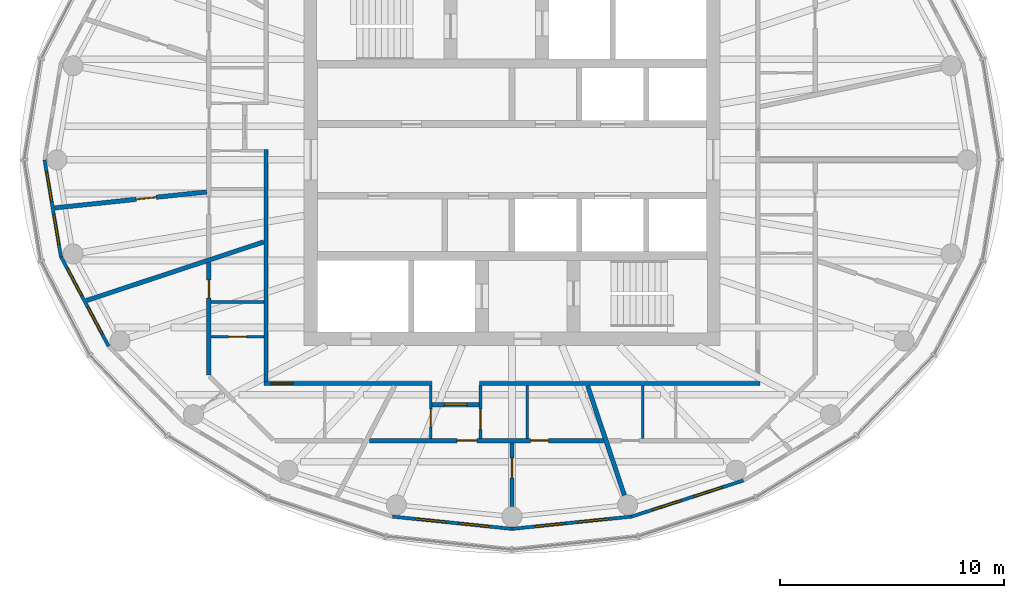
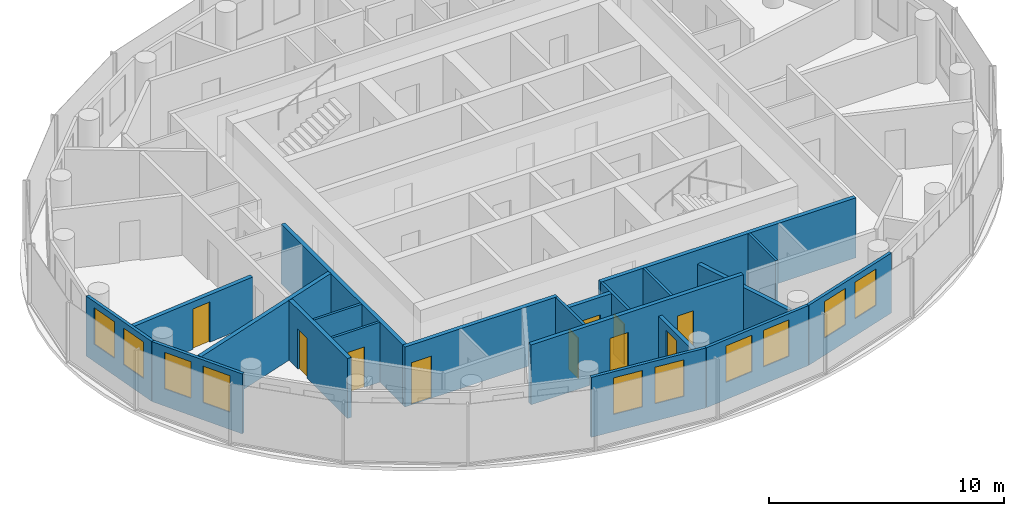
# One storey, part 5 of 11: 21 walls, 10 doors, 10 windows, 20 openings.
"""IFC4 building model written with IfcOpenShell, lengths in metres."""

import ifcopenshell
import ifcopenshell.guid

model = None  # the IFC model being written
_history = None  # IfcOwnerHistory: only IFC2X3 demands one
_inside = {}  # id of a spatial element -> (the spatial element, [elements in it])
_under = {}  # id of a project, library or spatial element -> (it, [spatial elements below it])
_declared = {}  # id of a project -> (the project, [libraries it declares])
_typed = {}  # id of a type object -> (the type object, [elements of that type])
_made_of = {}  # id of a material, layer set ... -> (it, [elements and type objects made of it])


def new_model(schema):
    """Start an empty IFC model of exactly this schema.

    Asked for "IFC4X3", IfcOpenShell would pick the latest addendum, in which some entities
    have other attributes; the version numbers below select the first issue.
    IFC2X3 requires an IfcOwnerHistory on every rooted entity: one is made here for all.
    """
    global model, _history
    if schema == "IFC4X3":
        model = ifcopenshell.file(schema_version=(4, 3, 0, 0))
    else:
        model = ifcopenshell.file(schema=schema)
    _inside.clear()
    _under.clear()
    _declared.clear()
    _typed.clear()
    _made_of.clear()
    _history = None
    if model.schema == "IFC2X3":
        org = make("IfcOrganization", Name="unknown")
        user = make(
            "IfcPersonAndOrganization",
            ThePerson=make("IfcPerson", FamilyName="unknown"),
            TheOrganization=org,
        )
        app = make(
            "IfcApplication",
            ApplicationDeveloper=org,
            Version="unknown",
            ApplicationFullName="unknown",
            ApplicationIdentifier="unknown",
        )
        _history = make(
            "IfcOwnerHistory",
            OwningUser=user,
            OwningApplication=app,
            ChangeAction="ADDED",
            CreationDate=0,
        )
    return model


def make(cls, **values):
    """One entity of the class cls with the attributes given. An attribute that is None is left unset."""
    return model.create_entity(
        cls, **{name: value for name, value in values.items() if value is not None}
    )


def rooted(cls, **values):
    """An entity with a GlobalId (a new one), such as an element, a storey or a relation."""
    return make(cls, GlobalId=ifcopenshell.guid.new(), OwnerHistory=_history, **values)


def si_unit(unit_type, name, prefix=None):
    """IfcSIUnit, for example si_unit("LENGTHUNIT", "METRE", prefix="MILLI")."""
    return make("IfcSIUnit", UnitType=unit_type, Prefix=prefix, Name=name)


def assignment(units):
    """IfcUnitAssignment: the units of a project."""
    return None if units is None else make("IfcUnitAssignment", Units=units)


def point(xyz):
    """IfcCartesianPoint."""
    return None if xyz is None else make("IfcCartesianPoint", Coordinates=xyz)


def direction(xyz):
    """IfcDirection."""
    return None if xyz is None else make("IfcDirection", DirectionRatios=xyz)


def frame(location, z_axis=None, x_axis=None):
    """IfcAxis2Placement3D, a coordinate frame: its origin and axes. An axis left out is left unset."""
    return make(
        "IfcAxis2Placement3D",
        Location=point(location),
        Axis=direction(z_axis),
        RefDirection=direction(x_axis),
    )


def frame_2d(location, x_axis=None):
    """IfcAxis2Placement2D, a coordinate frame in the plane: its origin and x axis."""
    return make(
        "IfcAxis2Placement2D", Location=point(location), RefDirection=direction(x_axis)
    )


def origin():
    """The frame at (0, 0, 0) with its axes left unset."""
    return frame((0.0, 0.0, 0.0))


def place(relative_to, where):
    """IfcLocalPlacement: puts the frame where relative to a parent placement (None: the world)."""
    return make(
        "IfcLocalPlacement", PlacementRelTo=relative_to, RelativePlacement=where
    )


def context(
    kind, dimensions, precision=None, world=None, true_north=None, identifier=None
):
    """IfcGeometricRepresentationContext, for example the 3D "Model" context."""
    return make(
        "IfcGeometricRepresentationContext",
        ContextIdentifier=identifier,
        ContextType=kind,
        CoordinateSpaceDimension=dimensions,
        Precision=precision,
        WorldCoordinateSystem=world,
        TrueNorth=true_north,
    )


def subcontext(parent, identifier, kind, view, scale=None):
    """IfcGeometricRepresentationSubContext, for example "Body" below "Model"."""
    return make(
        "IfcGeometricRepresentationSubContext",
        ContextIdentifier=identifier,
        ContextType=kind,
        ParentContext=parent,
        TargetScale=scale,
        TargetView=view,
    )


def project(units=None, contexts=None):
    """IfcProject with its units and contexts."""
    return rooted(
        "IfcProject",
        Name="project",
        RepresentationContexts=contexts,
        UnitsInContext=assignment(units),
    )


def spatial(cls, under=None, at=None, **own):
    """A site, building, storey or space (cls), placed at a placement, below another one or the project."""
    s = rooted(cls, ObjectPlacement=at, **own)
    if under is not None:
        _under.setdefault(under.id(), (under, []))[1].append(s)
    return s


def profile(cls, at=None, kind="AREA", **sizes):
    """A parametric profile (cls). Its sizes go by their IFC names, for example OverallWidth=200.0."""
    return make(cls, ProfileType=kind, Position=at, **sizes)


def rectangle(**sizes):
    """IfcRectangleProfileDef."""
    return profile("IfcRectangleProfileDef", **sizes)


def extrude(swept, where, along, depth):
    """IfcExtrudedAreaSolid: the profile swept, set in the frame where, extruded along a direction by depth."""
    return make(
        "IfcExtrudedAreaSolid",
        SweptArea=swept,
        Position=where,
        ExtrudedDirection=direction(along),
        Depth=depth,
    )


def shape(context_of_items, identifier, shape_type, items):
    """IfcShapeRepresentation: the items that make up one representation, for example the "Body"."""
    return make(
        "IfcShapeRepresentation",
        ContextOfItems=context_of_items,
        RepresentationIdentifier=identifier,
        RepresentationType=shape_type,
        Items=items,
    )


def material(Name=None, Category=None):
    """IfcMaterial."""
    return make("IfcMaterial", Name=Name, Category=Category)


def layer(
    of_material, thickness, ventilated=None, Name=None, Category=None, Priority=None
):
    """IfcMaterialLayer: one layer of a wall or slab, of a material (None: an air gap)."""
    return make(
        "IfcMaterialLayer",
        Material=of_material,
        LayerThickness=thickness,
        IsVentilated=ventilated,
        Name=Name,
        Category=Category,
        Priority=Priority,
    )


def layer_set(layers, Name=None):
    """IfcMaterialLayerSet."""
    return make("IfcMaterialLayerSet", MaterialLayers=layers, LayerSetName=Name)


def made_of(thing, what):
    """Note that an element or type object is made of a material, layer set ...; save() writes the relation."""
    if what is not None:
        _made_of.setdefault(what.id(), (what, []))[1].append(thing)
    return thing


def type_object(cls, material=None, **own):
    """A type object (cls), such as IfcWallType, which elements share."""
    return made_of(rooted(cls, **own), material)


def element(
    cls,
    number,
    at=None,
    inside=None,
    cuts=None,
    type_object=None,
    material=None,
    context=None,
    identifier="Body",
    shape_type=None,
    held_by="IfcProductDefinitionShape",
    body=None,
    shapes=None,
    **own,
):
    """One element of the class cls, such as IfcWall. Its Tag is "e" and its number.

    at: its placement. inside: the storey or other place that contains it. cuts: it is an
    opening in that element (IfcRelVoidsElement). A single representation is given by context,
    identifier, shape_type and body (its items); several are given by shapes. held_by: the class
    of the entity that holds the representations. save() writes the other relations.
    """
    e = rooted(cls, Tag="e%d" % number, ObjectPlacement=at, **own)
    if body is not None:
        shapes = [shape(context, identifier, shape_type, body)]
    if shapes is not None:
        e.Representation = make(held_by, Representations=shapes)
    if inside is not None:
        _inside.setdefault(inside.id(), (inside, []))[1].append(e)
    if cuts is not None:
        rooted(
            "IfcRelVoidsElement", RelatingBuildingElement=cuts, RelatedOpeningElement=e
        )
    if type_object is not None:
        _typed.setdefault(type_object.id(), (type_object, []))[1].append(e)
    return made_of(e, material)


def fill(opening, filler):
    """IfcRelFillsElement: the door or window that sits in an opening."""
    return rooted(
        "IfcRelFillsElement",
        RelatingOpeningElement=opening,
        RelatedBuildingElement=filler,
    )


def aggregate(whole, parts):
    """IfcRelAggregates: a whole, such as a stair, and the parts it consists of."""
    return rooted("IfcRelAggregates", RelatingObject=whole, RelatedObjects=parts)


def save(model, path):
    """Write the relations noted so far, then the file.

    IfcRelAggregates (storeys below a building ...), IfcRelContainedInSpatialStructure (elements
    in a storey), IfcRelDefinesByType, IfcRelAssociatesMaterial and IfcRelDeclares: one each for
    every whole, place, type object, material and project.
    """
    for whole, parts in _under.values():
        aggregate(whole, parts)
    for where, things in _inside.values():
        rooted(
            "IfcRelContainedInSpatialStructure",
            RelatedElements=things,
            RelatingStructure=where,
        )
    for kind, things in _typed.values():
        rooted("IfcRelDefinesByType", RelatedObjects=things, RelatingType=kind)
    for what, things in _made_of.values():
        rooted("IfcRelAssociatesMaterial", RelatedObjects=things, RelatingMaterial=what)
    for by, libraries in _declared.values():
        rooted("IfcRelDeclares", RelatingContext=by, RelatedDefinitions=libraries)
    model.write(path)


model = new_model("IFC4")

# Units and contexts
model_context = context("Model", 3, precision=1e-05, world=origin(), true_north=direction((0.0, 1.0)))
body_context = subcontext(model_context, "Body", "Model", "MODEL_VIEW")
ifc_project = project(units=[si_unit("LENGTHUNIT", "METRE"), si_unit("AREAUNIT", "SQUARE_METRE"), si_unit("VOLUMEUNIT", "CUBIC_METRE"), si_unit("PLANEANGLEUNIT", "RADIAN"), si_unit("MASSUNIT", "GRAM", prefix="KILO")], contexts=[model_context])

# Site, building, storey
site_placement = place(None, origin())
site = spatial("IfcSite", under=ifc_project, at=site_placement, CompositionType="ELEMENT")
building_placement = place(site_placement, origin())
building = spatial("IfcBuilding", under=site, at=building_placement, Name="Hankou Lantern Tower", CompositionType="ELEMENT")
storey_placement = place(building_placement, frame((0.0, 0.0, 196.199951171875)))
storey = spatial("IfcBuildingStorey", under=building, at=storey_placement, Name="L52", CompositionType="ELEMENT", Elevation=196.199951171875)

# Wall, openings, windows
ifc_material_1 = material(Name="Aluminium spandrel panel on steel studs", Category="steel")
ifc_layer_1 = layer(ifc_material_1, 0.14990234375)
ifc_layer_set_1 = layer_set([ifc_layer_1], Name="Aluminium spandrel panel on steel studs")
wall_type_1 = type_object("IfcWallType", Name="EW1 INNER SKIN WALL 150", PredefinedType="ELEMENTEDWALL", material=ifc_layer_set_1)
wall_1_placement = place(storey_placement, frame((-20.89990234375, 0.0, 0.0), z_axis=(0.0, 0.0, 1.0), x_axis=(0.166538513568, -0.986034950445, 0.0)))
wall_1 = element("IfcWall", 1, at=wall_1_placement, inside=storey, type_object=wall_type_1, Name="Inner skin R13-R14 L52", PredefinedType="ELEMENTEDWALL", context=body_context, shape_type="SweptSolid", body=[
    extrude(rectangle(XDim=4.384765625, YDim=0.14990234375, at=frame_2d((2.1923828125, 0.0))), origin(), (0.0, 0.0, 1.0), 3.1201171875),
])
opening_1_placement = place(wall_1_placement, frame((0.54248046875, 0.0, 0.89990234375)))
opening_1 = element("IfcOpeningElement", 2, at=opening_1_placement, cuts=wall_1, Name="Opening W4", PredefinedType="OPENING", context=body_context, shape_type="SweptSolid", body=[
    extrude(rectangle(XDim=1.35009765625, YDim=1.89990234375, at=frame_2d((0.675048828125, 0.949951171875))), frame((0.0, 0.0849609375, 0.0), z_axis=(0.0, -1.0, 0.0), x_axis=(1.0, 0.0, 0.0)), (0.0, 0.0, 1.0), 0.169921875),
])
opening_2_placement = place(wall_1_placement, frame((2.492431640625, 0.0, 0.89990234375)))
opening_2 = element("IfcOpeningElement", 3, at=opening_2_placement, cuts=wall_1, Name="Opening W4", PredefinedType="OPENING", context=body_context, shape_type="SweptSolid", body=[
    extrude(rectangle(XDim=1.35009765625, YDim=1.89990234375, at=frame_2d((0.675048828125, 0.949951171875))), frame((0.0, 0.0849609375, 0.0), z_axis=(0.0, -1.0, 0.0), x_axis=(1.0, 0.0, 0.0)), (0.0, 0.0, 1.0), 0.169921875),
])
ifc_material_2 = material(Name="Aluminium framed double glazed window", Category="aluminium")
window_type = type_object("IfcWindowType", Name="W4 SUITE WINDOW 1350X1900", PartitioningType="DOUBLE_PANEL_VERTICAL", PredefinedType="WINDOW", material=ifc_material_2)
window_1_placement = place(opening_1_placement, origin())
window_1 = element("IfcWindow", 4, at=window_1_placement, inside=storey, type_object=window_type, Name="Window R13.1 L52", OverallHeight=1.89990234375, OverallWidth=1.35009765625, PartitioningType="SINGLE_PANEL", PredefinedType="WINDOW", context=body_context, shape_type="SweptSolid", body=[
    extrude(rectangle(XDim=1.35009765625, YDim=1.89990234375, at=frame_2d((0.675048828125, 0.949951171875))), frame((0.0, 0.030029296875, 0.0), z_axis=(0.0, -1.0, 0.0), x_axis=(1.0, 0.0, 0.0)), (0.0, 0.0, 1.0), 0.06005859375),
])
fill(opening_1, window_1)
window_2_placement = place(opening_2_placement, origin())
window_2 = element("IfcWindow", 5, at=window_2_placement, inside=storey, type_object=window_type, Name="Window R13.2 L52", OverallHeight=1.89990234375, OverallWidth=1.35009765625, PartitioningType="SINGLE_PANEL", PredefinedType="WINDOW", context=body_context, shape_type="SweptSolid", body=[
    extrude(rectangle(XDim=1.35009765625, YDim=1.89990234375, at=frame_2d((0.675048828125, 0.949951171875))), frame((0.0, 0.030029296875, 0.0), z_axis=(0.0, -1.0, 0.0), x_axis=(1.0, 0.0, 0.0)), (0.0, 0.0, 1.0), 0.06005859375),
])
fill(opening_2, window_2)

wall_2_placement = place(storey_placement, frame((-20.169677734375, -4.323486328125, 0.0), z_axis=(0.0, 0.0, 1.0), x_axis=(0.469256152955, -0.883062094597, 0.0)))
wall_2 = element("IfcWall", 6, at=wall_2_placement, inside=storey, type_object=wall_type_1, Name="Inner skin R14-R15 L52", PredefinedType="ELEMENTEDWALL", context=body_context, shape_type="SweptSolid", body=[
    extrude(rectangle(XDim=4.539306640625, YDim=0.14990234375, at=frame_2d((2.26953125, 0.0))), origin(), (0.0, 0.0, 1.0), 3.1201171875),
])
opening_3_placement = place(wall_2_placement, frame((0.61962890625, 0.0, 0.89990234375)))
opening_3 = element("IfcOpeningElement", 7, at=opening_3_placement, cuts=wall_2, Name="Opening W4", PredefinedType="OPENING", context=body_context, shape_type="SweptSolid", body=[
    extrude(rectangle(XDim=1.35009765625, YDim=1.89990234375, at=frame_2d((0.675048828125, 0.949951171875))), frame((0.0, 0.0849609375, 0.0), z_axis=(0.0, -1.0, 0.0), x_axis=(1.0, 0.0, 0.0)), (0.0, 0.0, 1.0), 0.169921875),
])
opening_4_placement = place(wall_2_placement, frame((2.569580078125, 0.0, 0.89990234375)))
opening_4 = element("IfcOpeningElement", 8, at=opening_4_placement, cuts=wall_2, Name="Opening W4", PredefinedType="OPENING", context=body_context, shape_type="SweptSolid", body=[
    extrude(rectangle(XDim=1.35009765625, YDim=1.89990234375, at=frame_2d((0.675048828125, 0.949951171875))), frame((0.0, 0.0849609375, 0.0), z_axis=(0.0, -1.0, 0.0), x_axis=(1.0, 0.0, 0.0)), (0.0, 0.0, 1.0), 0.169921875),
])
window_3_placement = place(opening_3_placement, origin())
window_3 = element("IfcWindow", 9, at=window_3_placement, inside=storey, type_object=window_type, Name="Window R14.1 L52", OverallHeight=1.89990234375, OverallWidth=1.35009765625, PartitioningType="SINGLE_PANEL", PredefinedType="WINDOW", context=body_context, shape_type="SweptSolid", body=[
    extrude(rectangle(XDim=1.35009765625, YDim=1.89990234375, at=frame_2d((0.675048828125, 0.949951171875))), frame((0.0, 0.030029296875, 0.0), z_axis=(0.0, -1.0, 0.0), x_axis=(1.0, 0.0, 0.0)), (0.0, 0.0, 1.0), 0.06005859375),
])
fill(opening_3, window_3)
window_4_placement = place(opening_4_placement, origin())
window_4 = element("IfcWindow", 10, at=window_4_placement, inside=storey, type_object=window_type, Name="Window R14.2 L52", OverallHeight=1.89990234375, OverallWidth=1.35009765625, PartitioningType="SINGLE_PANEL", PredefinedType="WINDOW", context=body_context, shape_type="SweptSolid", body=[
    extrude(rectangle(XDim=1.35009765625, YDim=1.89990234375, at=frame_2d((0.675048828125, 0.949951171875))), frame((0.0, 0.030029296875, 0.0), z_axis=(0.0, -1.0, 0.0), x_axis=(1.0, 0.0, 0.0)), (0.0, 0.0, 1.0), 0.06005859375),
])
fill(opening_4, window_4)

wall_3_placement = place(storey_placement, frame((-5.3427734375, -15.95166015625, 0.0), z_axis=(0.0, 0.0, 1.0), x_axis=(0.994774574972, -0.102095763818, 0.0)))
wall_3 = element("IfcWall", 11, at=wall_3_placement, inside=storey, type_object=wall_type_1, Name="Inner skin R18-R19 L52", PredefinedType="ELEMENTEDWALL", context=body_context, shape_type="SweptSolid", body=[
    extrude(rectangle(XDim=5.370849609375, YDim=0.14990234375, at=frame_2d((2.685546875, 0.0))), origin(), (0.0, 0.0, 1.0), 3.1201171875),
])
opening_5_placement = place(wall_3_placement, frame((1.035400390625, 0.0, 0.89990234375)))
opening_5 = element("IfcOpeningElement", 12, at=opening_5_placement, cuts=wall_3, Name="Opening W4", PredefinedType="OPENING", context=body_context, shape_type="SweptSolid", body=[
    extrude(rectangle(XDim=1.35009765625, YDim=1.89990234375, at=frame_2d((0.675048828125, 0.949951171875))), frame((0.0, 0.0849609375, 0.0), z_axis=(0.0, -1.0, 0.0), x_axis=(1.0, 0.0, 0.0)), (0.0, 0.0, 1.0), 0.169921875),
])
opening_6_placement = place(wall_3_placement, frame((2.9853515625, 0.0, 0.89990234375)))
opening_6 = element("IfcOpeningElement", 13, at=opening_6_placement, cuts=wall_3, Name="Opening W4", PredefinedType="OPENING", context=body_context, shape_type="SweptSolid", body=[
    extrude(rectangle(XDim=1.35009765625, YDim=1.89990234375, at=frame_2d((0.675048828125, 0.949951171875))), frame((0.0, 0.0849609375, 0.0), z_axis=(0.0, -1.0, 0.0), x_axis=(1.0, 0.0, 0.0)), (0.0, 0.0, 1.0), 0.169921875),
])
window_5_placement = place(opening_5_placement, origin())
window_5 = element("IfcWindow", 14, at=window_5_placement, inside=storey, type_object=window_type, Name="Window R18.1 L52", OverallHeight=1.89990234375, OverallWidth=1.35009765625, PartitioningType="SINGLE_PANEL", PredefinedType="WINDOW", context=body_context, shape_type="SweptSolid", body=[
    extrude(rectangle(XDim=1.35009765625, YDim=1.89990234375, at=frame_2d((0.675048828125, 0.949951171875))), frame((0.0, 0.030029296875, 0.0), z_axis=(0.0, -1.0, 0.0), x_axis=(1.0, 0.0, 0.0)), (0.0, 0.0, 1.0), 0.06005859375),
])
fill(opening_5, window_5)
window_6_placement = place(opening_6_placement, origin())
window_6 = element("IfcWindow", 15, at=window_6_placement, inside=storey, type_object=window_type, Name="Window R18.2 L52", OverallHeight=1.89990234375, OverallWidth=1.35009765625, PartitioningType="SINGLE_PANEL", PredefinedType="WINDOW", context=body_context, shape_type="SweptSolid", body=[
    extrude(rectangle(XDim=1.35009765625, YDim=1.89990234375, at=frame_2d((0.675048828125, 0.949951171875))), frame((0.0, 0.030029296875, 0.0), z_axis=(0.0, -1.0, 0.0), x_axis=(1.0, 0.0, 0.0)), (0.0, 0.0, 1.0), 0.06005859375),
])
fill(opening_6, window_6)

wall_4_placement = place(storey_placement, frame((0.0, -16.5, 0.0), z_axis=(0.0, 0.0, 1.0), x_axis=(0.994774574972, 0.102095763818, 0.0)))
wall_4 = element("IfcWall", 16, at=wall_4_placement, inside=storey, type_object=wall_type_1, Name="Inner skin R19-R20 L52", PredefinedType="ELEMENTEDWALL", context=body_context, shape_type="SweptSolid", body=[
    extrude(rectangle(XDim=5.370849609375, YDim=0.14990234375, at=frame_2d((2.685546875, 0.0))), origin(), (0.0, 0.0, 1.0), 3.1201171875),
])
opening_7_placement = place(wall_4_placement, frame((1.035400390625, 0.0, 0.89990234375)))
opening_7 = element("IfcOpeningElement", 17, at=opening_7_placement, cuts=wall_4, Name="Opening W4", PredefinedType="OPENING", context=body_context, shape_type="SweptSolid", body=[
    extrude(rectangle(XDim=1.35009765625, YDim=1.89990234375, at=frame_2d((0.675048828125, 0.949951171875))), frame((0.0, 0.0849609375, 0.0), z_axis=(0.0, -1.0, 0.0), x_axis=(1.0, 0.0, 0.0)), (0.0, 0.0, 1.0), 0.169921875),
])
opening_8_placement = place(wall_4_placement, frame((2.9853515625, 0.0, 0.89990234375)))
opening_8 = element("IfcOpeningElement", 18, at=opening_8_placement, cuts=wall_4, Name="Opening W4", PredefinedType="OPENING", context=body_context, shape_type="SweptSolid", body=[
    extrude(rectangle(XDim=1.35009765625, YDim=1.89990234375, at=frame_2d((0.675048828125, 0.949951171875))), frame((0.0, 0.0849609375, 0.0), z_axis=(0.0, -1.0, 0.0), x_axis=(1.0, 0.0, 0.0)), (0.0, 0.0, 1.0), 0.169921875),
])
window_7_placement = place(opening_7_placement, origin())
window_7 = element("IfcWindow", 19, at=window_7_placement, inside=storey, type_object=window_type, Name="Window R19.1 L52", OverallHeight=1.89990234375, OverallWidth=1.35009765625, PartitioningType="SINGLE_PANEL", PredefinedType="WINDOW", context=body_context, shape_type="SweptSolid", body=[
    extrude(rectangle(XDim=1.35009765625, YDim=1.89990234375, at=frame_2d((0.675048828125, 0.949951171875))), frame((0.0, 0.030029296875, 0.0), z_axis=(0.0, -1.0, 0.0), x_axis=(1.0, 0.0, 0.0)), (0.0, 0.0, 1.0), 0.06005859375),
])
fill(opening_7, window_7)
window_8_placement = place(opening_8_placement, origin())
window_8 = element("IfcWindow", 20, at=window_8_placement, inside=storey, type_object=window_type, Name="Window R19.2 L52", OverallHeight=1.89990234375, OverallWidth=1.35009765625, PartitioningType="SINGLE_PANEL", PredefinedType="WINDOW", context=body_context, shape_type="SweptSolid", body=[
    extrude(rectangle(XDim=1.35009765625, YDim=1.89990234375, at=frame_2d((0.675048828125, 0.949951171875))), frame((0.0, 0.030029296875, 0.0), z_axis=(0.0, -1.0, 0.0), x_axis=(1.0, 0.0, 0.0)), (0.0, 0.0, 1.0), 0.06005859375),
])
fill(opening_8, window_8)

wall_5_placement = place(storey_placement, frame((5.3427734375, -15.95166015625, 0.0), z_axis=(0.0, 0.0, 1.0), x_axis=(0.951644702515, 0.307200846638, 0.0)))
wall_5 = element("IfcWall", 21, at=wall_5_placement, inside=storey, type_object=wall_type_1, Name="Inner skin R20-R21 L52", PredefinedType="ELEMENTEDWALL", context=body_context, shape_type="SweptSolid", body=[
    extrude(rectangle(XDim=5.2578125, YDim=0.14990234375, at=frame_2d((2.62890625, 0.0))), origin(), (0.0, 0.0, 1.0), 3.1201171875),
])
opening_9_placement = place(wall_5_placement, frame((0.97900390625, 0.0, 0.89990234375)))
opening_9 = element("IfcOpeningElement", 22, at=opening_9_placement, cuts=wall_5, Name="Opening W4", PredefinedType="OPENING", context=body_context, shape_type="SweptSolid", body=[
    extrude(rectangle(XDim=1.35009765625, YDim=1.89990234375, at=frame_2d((0.675048828125, 0.949951171875))), frame((0.0, 0.0849609375, 0.0), z_axis=(0.0, -1.0, 0.0), x_axis=(1.0, 0.0, 0.0)), (0.0, 0.0, 1.0), 0.169921875),
])
opening_10_placement = place(wall_5_placement, frame((2.928955078125, 0.0, 0.89990234375)))
opening_10 = element("IfcOpeningElement", 23, at=opening_10_placement, cuts=wall_5, Name="Opening W4", PredefinedType="OPENING", context=body_context, shape_type="SweptSolid", body=[
    extrude(rectangle(XDim=1.35009765625, YDim=1.89990234375, at=frame_2d((0.675048828125, 0.949951171875))), frame((0.0, 0.0849609375, 0.0), z_axis=(0.0, -1.0, 0.0), x_axis=(1.0, 0.0, 0.0)), (0.0, 0.0, 1.0), 0.169921875),
])
window_9_placement = place(opening_9_placement, origin())
window_9 = element("IfcWindow", 24, at=window_9_placement, inside=storey, type_object=window_type, Name="Window R20.1 L52", OverallHeight=1.89990234375, OverallWidth=1.35009765625, PartitioningType="SINGLE_PANEL", PredefinedType="WINDOW", context=body_context, shape_type="SweptSolid", body=[
    extrude(rectangle(XDim=1.35009765625, YDim=1.89990234375, at=frame_2d((0.675048828125, 0.949951171875))), frame((0.0, 0.030029296875, 0.0), z_axis=(0.0, -1.0, 0.0), x_axis=(1.0, 0.0, 0.0)), (0.0, 0.0, 1.0), 0.06005859375),
])
fill(opening_9, window_9)
window_10_placement = place(opening_10_placement, origin())
window_10 = element("IfcWindow", 25, at=window_10_placement, inside=storey, type_object=window_type, Name="Window R20.2 L52", OverallHeight=1.89990234375, OverallWidth=1.35009765625, PartitioningType="SINGLE_PANEL", PredefinedType="WINDOW", context=body_context, shape_type="SweptSolid", body=[
    extrude(rectangle(XDim=1.35009765625, YDim=1.89990234375, at=frame_2d((0.675048828125, 0.949951171875))), frame((0.0, 0.030029296875, 0.0), z_axis=(0.0, -1.0, 0.0), x_axis=(1.0, 0.0, 0.0)), (0.0, 0.0, 1.0), 0.06005859375),
])
fill(opening_10, window_10)

# Walls
ifc_material_3 = material(Name="Masonry lightweight concrete block", Category="masonry")
ifc_layer_2 = layer(ifc_material_3, 0.199951171875)
ifc_layer_set_2 = layer_set([ifc_layer_2], Name="Masonry lightweight concrete block")
wall_type_2 = type_object("IfcWallType", Name="IW1 GUEST ROOM PARTY WALL 200", PredefinedType="PARTITIONING", material=ifc_layer_set_2)
wall_6_placement = place(storey_placement, frame((-11.10009765625, -3.668701171875, 0.0), z_axis=(0.0, 0.0, 1.0), x_axis=(-0.949476668397, -0.313837627079, 0.0)))
element("IfcWall", 26, at=wall_6_placement, inside=storey, type_object=wall_type_2, Name="Party wall R14-R15", PredefinedType="PARTITIONING", context=body_context, shape_type="SweptSolid", body=[
    extrude(rectangle(XDim=8.338623046875, YDim=0.199951171875, at=frame_2d((4.16943359375, 0.0))), origin(), (0.0, 0.0, 1.0), 3.1201171875),
])
wall_7_placement = place(storey_placement, frame((3.3828125, -10.10009765625, 0.0), z_axis=(0.0, 0.0, 1.0), x_axis=(0.317602151035, -0.948224063003, 0.0)))
element("IfcWall", 27, at=wall_7_placement, inside=storey, type_object=wall_type_2, Name="Party wall R20", PredefinedType="PARTITIONING", context=body_context, shape_type="SweptSolid", body=[
    extrude(rectangle(XDim=5.16796875, YDim=0.199951171875, at=frame_2d((2.583984375, 0.0))), origin(), (0.0, 0.0, 1.0), 2.420166015625),
])
ifc_material_4 = material(Name="Masonry lightweight concrete block", Category="masonry")
ifc_layer_3 = layer(ifc_material_4, 0.199951171875)
ifc_layer_set_3 = layer_set([ifc_layer_3], Name="Masonry lightweight concrete block")
wall_type_3 = type_object("IfcWallType", Name="IW2 CORRIDOR WALL 200", PredefinedType="PARTITIONING", material=ifc_layer_set_3)
wall_8_placement = place(storey_placement, frame((11.10009765625, -10.0, 0.0), z_axis=(0.0, 0.0, 1.0), x_axis=(-1.0, 0.0, 0.0)))
element("IfcWall", 28, at=wall_8_placement, inside=storey, type_object=wall_type_3, Name="Corridor wall south", PredefinedType="PARTITIONING", context=body_context, shape_type="SweptSolid", body=[
    extrude(rectangle(XDim=12.55908203125, YDim=0.199951171875, at=frame_2d((6.279541015625, 0.0))), origin(), (0.0, 0.0, 1.0), 3.1201171875),
])

# Wall, opening, door
wall_9_placement = place(storey_placement, frame((-3.578857421875, -10.0, 0.0), z_axis=(0.0, 0.0, 1.0), x_axis=(-1.0, 0.0, 0.0)))
wall_9 = element("IfcWall", 29, at=wall_9_placement, inside=storey, type_object=wall_type_3, Name="Corridor wall south", PredefinedType="PARTITIONING", context=body_context, shape_type="SweptSolid", body=[
    extrude(rectangle(XDim=7.521240234375, YDim=0.199951171875, at=frame_2d((3.7607421875, 0.0))), origin(), (0.0, 0.0, 1.0), 3.1201171875),
])
opening_11_placement = place(wall_9_placement, frame((6.205810546875, 0.0, 0.0)))
opening_11 = element("IfcOpeningElement", 30, at=opening_11_placement, cuts=wall_9, Name="Opening D2", PredefinedType="OPENING", context=body_context, shape_type="SweptSolid", body=[
    extrude(rectangle(XDim=1.0, YDim=2.199951171875, at=frame_2d((0.5, 1.10009765625))), frame((0.0, 0.10986328125, 0.0), z_axis=(0.0, -1.0, 0.0), x_axis=(1.0, 0.0, 0.0)), (0.0, 0.0, 1.0), 0.219970703125),
])
ifc_material_5 = material(Name="Steel door leaf", Category="steel")
door_type_1 = type_object("IfcDoorType", Name="D2 SUITE DOOR 1000X2200", OperationType="SINGLE_SWING_LEFT", PredefinedType="DOOR", material=ifc_material_5)
door_1_placement = place(opening_11_placement, origin())
door_1 = element("IfcDoor", 31, at=door_1_placement, inside=storey, type_object=door_type_1, Name="Suite door 5205", OperationType="SINGLE_SWING_LEFT", OverallHeight=2.199951171875, OverallWidth=1.0, PredefinedType="DOOR", context=body_context, shape_type="SweptSolid", body=[
    extrude(rectangle(XDim=1.0, YDim=2.199951171875, at=frame_2d((0.5, 1.10009765625))), frame((0.0, 0.02490234375, 0.0), z_axis=(0.0, -1.0, 0.0), x_axis=(1.0, 0.0, 0.0)), (0.0, 0.0, 1.0), 0.050048828125),
])
fill(opening_11, door_1)

# Wall
wall_10_placement = place(storey_placement, frame((-11.0, 0.46435546875, 0.0), z_axis=(0.0, 0.0, 1.0), x_axis=(0.0, -1.0, 0.0)))
element("IfcWall", 32, at=wall_10_placement, inside=storey, type_object=wall_type_3, Name="Corridor wall west", PredefinedType="PARTITIONING", context=body_context, shape_type="SweptSolid", body=[
    extrude(rectangle(XDim=10.3642578125, YDim=0.199951171875, at=frame_2d((5.18212890625, 0.0))), origin(), (0.0, 0.0, 1.0), 3.1201171875),
])

# Wall, opening, door
wall_11_placement = place(storey_placement, frame((-3.56884765625, -10.949951171875, 0.0), z_axis=(0.0, 0.0, 1.0), x_axis=(1.0, 0.0, 0.0)))
wall_11 = element("IfcWall", 33, at=wall_11_placement, inside=storey, type_object=wall_type_3, Name="Suite entrance recess wall 5206", PredefinedType="PARTITIONING", context=body_context, shape_type="SweptSolid", body=[
    extrude(rectangle(XDim=2.099853515625, YDim=0.199951171875, at=frame_2d((1.0498046875, 0.0))), origin(), (0.0, 0.0, 1.0), 3.1201171875),
])
opening_12_placement = place(wall_11_placement, frame((0.550048828125, 0.0, 0.0)))
opening_12 = element("IfcOpeningElement", 34, at=opening_12_placement, cuts=wall_11, Name="Opening D2", PredefinedType="OPENING", context=body_context, shape_type="SweptSolid", body=[
    extrude(rectangle(XDim=1.0, YDim=2.199951171875, at=frame_2d((0.5, 1.10009765625))), frame((0.0, 0.10986328125, 0.0), z_axis=(0.0, -1.0, 0.0), x_axis=(1.0, 0.0, 0.0)), (0.0, 0.0, 1.0), 0.219970703125),
])
door_2_placement = place(opening_12_placement, origin())
door_2 = element("IfcDoor", 35, at=door_2_placement, inside=storey, type_object=door_type_1, Name="Suite door 5206", OperationType="SINGLE_SWING_RIGHT", OverallHeight=2.199951171875, OverallWidth=1.0, PredefinedType="DOOR", context=body_context, shape_type="SweptSolid", body=[
    extrude(rectangle(XDim=1.0, YDim=2.199951171875, at=frame_2d((0.5, 1.10009765625))), frame((0.0, 0.02490234375, 0.0), z_axis=(0.0, -1.0, 0.0), x_axis=(1.0, 0.0, 0.0)), (0.0, 0.0, 1.0), 0.050048828125),
])
fill(opening_12, door_2)

# Wall
ifc_material_6 = material(Name="Masonry lightweight concrete block", Category="masonry")
ifc_layer_4 = layer(ifc_material_6, 0.1201171875)
ifc_layer_set_4 = layer_set([ifc_layer_4], Name="Masonry lightweight concrete block")
wall_type_4 = type_object("IfcWallType", Name="IW3 BATHROOM WALL 120", PredefinedType="PARTITIONING", material=ifc_layer_set_4)
wall_12_placement = place(storey_placement, frame((-11.10009765625, -6.358154296875, 0.0), z_axis=(0.0, 0.0, 1.0), x_axis=(-1.0, 0.0, 0.0)))
element("IfcWall", 36, at=wall_12_placement, inside=storey, type_object=wall_type_4, Name="Box wall 5205 1", PredefinedType="PARTITIONING", context=body_context, shape_type="SweptSolid", body=[
    extrude(rectangle(XDim=2.349853515625, YDim=0.1201171875, at=frame_2d((1.1748046875, 0.0))), origin(), (0.0, 0.0, 1.0), 3.1201171875),
])

# Wall, opening, door
wall_13_placement = place(storey_placement, frame((-11.10009765625, -7.9052734375, 0.0), z_axis=(0.0, 0.0, 1.0), x_axis=(-1.0, 0.0, 0.0)))
wall_13 = element("IfcWall", 37, at=wall_13_placement, inside=storey, type_object=wall_type_4, Name="Box wall 5205 2", PredefinedType="PARTITIONING", context=body_context, shape_type="SweptSolid", body=[
    extrude(rectangle(XDim=2.349853515625, YDim=0.1201171875, at=frame_2d((1.1748046875, 0.0))), origin(), (0.0, 0.0, 1.0), 3.1201171875),
])
opening_13_placement = place(wall_13_placement, frame((0.77001953125, 0.0, 0.0)))
opening_13 = element("IfcOpeningElement", 38, at=opening_13_placement, cuts=wall_13, Name="Opening D3", PredefinedType="OPENING", context=body_context, shape_type="SweptSolid", body=[
    extrude(rectangle(XDim=0.800048828125, YDim=2.10009765625, at=frame_2d((0.39990234375, 1.050048828125))), frame((0.0, 0.070068359375, 0.0), z_axis=(0.0, -1.0, 0.0), x_axis=(1.0, 0.0, 0.0)), (0.0, 0.0, 1.0), 0.14013671875),
])
ifc_material_7 = material(Name="Timber door leaf", Category="wood")
door_type_2 = type_object("IfcDoorType", Name="D3 BATHROOM DOOR 800X2100", OperationType="SINGLE_SWING_LEFT", PredefinedType="DOOR", material=ifc_material_7)
door_3_placement = place(opening_13_placement, origin())
door_3 = element("IfcDoor", 39, at=door_3_placement, inside=storey, type_object=door_type_2, Name="Suite 5205 guest WC door", OperationType="SINGLE_SWING_LEFT", OverallHeight=2.10009765625, OverallWidth=0.800048828125, PredefinedType="DOOR", context=body_context, shape_type="SweptSolid", body=[
    extrude(rectangle(XDim=0.800048828125, YDim=2.10009765625, at=frame_2d((0.39990234375, 1.050048828125))), frame((0.0, 0.02490234375, 0.0), z_axis=(0.0, -1.0, 0.0), x_axis=(1.0, 0.0, 0.0)), (0.0, 0.0, 1.0), 0.050048828125),
])
fill(opening_13, door_3)

wall_14_placement = place(storey_placement, frame((-3.62890625, -10.10009765625, 0.0), z_axis=(0.0, 0.0, 1.0), x_axis=(0.0, -1.0, 0.0)))
wall_14 = element("IfcWall", 40, at=wall_14_placement, inside=storey, type_object=wall_type_4, Name="Box wall 5206 1", PredefinedType="PARTITIONING", context=body_context, shape_type="SweptSolid", body=[
    extrude(rectangle(XDim=2.349853515625, YDim=0.1201171875, at=frame_2d((1.1748046875, 0.0))), origin(), (0.0, 0.0, 1.0), 3.1201171875),
])
opening_14_placement = place(wall_14_placement, frame((1.050048828125, 0.0, 0.0)))
opening_14 = element("IfcOpeningElement", 41, at=opening_14_placement, cuts=wall_14, Name="Opening D3", PredefinedType="OPENING", context=body_context, shape_type="SweptSolid", body=[
    extrude(rectangle(XDim=0.800048828125, YDim=2.10009765625, at=frame_2d((0.39990234375, 1.050048828125))), frame((0.0, 0.070068359375, 0.0), z_axis=(0.0, -1.0, 0.0), x_axis=(1.0, 0.0, 0.0)), (0.0, 0.0, 1.0), 0.14013671875),
])
door_4_placement = place(opening_14_placement, origin())
door_4 = element("IfcDoor", 42, at=door_4_placement, inside=storey, type_object=door_type_2, Name="Suite 5206 guest WC door", OperationType="SINGLE_SWING_LEFT", OverallHeight=2.10009765625, OverallWidth=0.800048828125, PredefinedType="DOOR", context=body_context, shape_type="SweptSolid", body=[
    extrude(rectangle(XDim=0.800048828125, YDim=2.10009765625, at=frame_2d((0.39990234375, 1.050048828125))), frame((0.0, 0.02490234375, 0.0), z_axis=(0.0, -1.0, 0.0), x_axis=(1.0, 0.0, 0.0)), (0.0, 0.0, 1.0), 0.050048828125),
])
fill(opening_14, door_4)

wall_15_placement = place(storey_placement, frame((-1.408935546875, -10.10009765625, 0.0), z_axis=(0.0, 0.0, 1.0), x_axis=(0.0, -1.0, 0.0)))
wall_15 = element("IfcWall", 43, at=wall_15_placement, inside=storey, type_object=wall_type_4, Name="Box wall 5206 2", PredefinedType="PARTITIONING", context=body_context, shape_type="SweptSolid", body=[
    extrude(rectangle(XDim=2.349853515625, YDim=0.1201171875, at=frame_2d((1.1748046875, 0.0))), origin(), (0.0, 0.0, 1.0), 3.1201171875),
])
opening_15_placement = place(wall_15_placement, frame((1.050048828125, 0.0, 0.0)))
opening_15 = element("IfcOpeningElement", 44, at=opening_15_placement, cuts=wall_15, Name="Opening D27", PredefinedType="OPENING", context=body_context, shape_type="SweptSolid", body=[
    extrude(rectangle(XDim=0.89990234375, YDim=2.10009765625, at=frame_2d((0.449951171875, 1.050048828125))), frame((0.0, 0.070068359375, 0.0), z_axis=(0.0, -1.0, 0.0), x_axis=(1.0, 0.0, 0.0)), (0.0, 0.0, 1.0), 0.14013671875),
])
ifc_material_8 = material(Name="Timber door leaf", Category="wood")
door_type_3 = type_object("IfcDoorType", Name="D27 INTERNAL DOOR 900X2100", OperationType="SINGLE_SWING_LEFT", PredefinedType="DOOR", material=ifc_material_8)
door_5_placement = place(opening_15_placement, origin())
door_5 = element("IfcDoor", 45, at=door_5_placement, inside=storey, type_object=door_type_3, Name="Suite 5206 walk-in wardrobe door", OperationType="SINGLE_SWING_RIGHT", OverallHeight=2.10009765625, OverallWidth=0.89990234375, PredefinedType="DOOR", context=body_context, shape_type="SweptSolid", body=[
    extrude(rectangle(XDim=0.89990234375, YDim=2.10009765625, at=frame_2d((0.449951171875, 1.050048828125))), frame((0.0, 0.02490234375, 0.0), z_axis=(0.0, -1.0, 0.0), x_axis=(1.0, 0.0, 0.0)), (0.0, 0.0, 1.0), 0.050048828125),
])
fill(opening_15, door_5)

# Walls
for number, where, z_axis, x_axis, name in (
    (46, (0.678466796875, -10.10009765625, 0.0), (0.0, 0.0, 1.0), (0.0, -1.0, 0.0), "Box wall 5206 3"),
    (47, (5.849365234375, -10.10009765625, 0.0), (0.0, 0.0, 1.0), (0.0, -1.0, 0.0), "Box wall 5207 1"),
):
    element("IfcWall", number, at=place(storey_placement, frame(where, z_axis=z_axis, x_axis=x_axis)), inside=storey, type_object=wall_type_4, Name=name, PredefinedType="PARTITIONING", context=body_context, shape_type="SweptSolid", body=[
        extrude(rectangle(XDim=2.349853515625, YDim=0.1201171875, at=frame_2d((1.1748046875, 0.0))), origin(), (0.0, 0.0, 1.0), 3.1201171875),
    ])

# Wall, opening, door
ifc_material_9 = material(Name="Masonry lightweight concrete block", Category="masonry")
ifc_layer_5 = layer(ifc_material_9, 0.199951171875)
ifc_layer_set_5 = layer_set([ifc_layer_5], Name="Masonry lightweight concrete block")
wall_type_5 = type_object("IfcWallType", Name="IW6 SUITE PARTITION 200", PredefinedType="PARTITIONING", material=ifc_layer_set_5)
wall_16_placement = place(storey_placement, frame((-13.64990234375, -1.433837890625, 0.0), z_axis=(0.0, 0.0, 1.0), x_axis=(-0.994526954268, -0.10448031984, 0.0)))
wall_16 = element("IfcWall", 48, at=wall_16_placement, inside=storey, type_object=wall_type_5, Name="Suite partition R13-R14", PredefinedType="PARTITIONING", context=body_context, shape_type="SweptSolid", body=[
    extrude(rectangle(XDim=6.837158203125, YDim=0.199951171875, at=frame_2d((3.41845703125, 0.0))), origin(), (0.0, 0.0, 1.0), 2.469970703125),
])
opening_16_placement = place(wall_16_placement, frame((2.27001953125, 0.0, 0.0)))
opening_16 = element("IfcOpeningElement", 49, at=opening_16_placement, cuts=wall_16, Name="Opening D27", PredefinedType="OPENING", context=body_context, shape_type="SweptSolid", body=[
    extrude(rectangle(XDim=0.89990234375, YDim=2.10009765625, at=frame_2d((0.449951171875, 1.050048828125))), frame((0.0, 0.10986328125, 0.0), z_axis=(0.0, -1.0, 0.0), x_axis=(1.0, 0.0, 0.0)), (0.0, 0.0, 1.0), 0.219970703125),
])
door_6_placement = place(opening_16_placement, origin())
door_6 = element("IfcDoor", 50, at=door_6_placement, inside=storey, type_object=door_type_3, Name="Family suite 5204 second bedroom door", OperationType="SINGLE_SWING_LEFT", OverallHeight=2.10009765625, OverallWidth=0.89990234375, PredefinedType="DOOR", context=body_context, shape_type="SweptSolid", body=[
    extrude(rectangle(XDim=0.89990234375, YDim=2.10009765625, at=frame_2d((0.449951171875, 1.050048828125))), frame((0.0, 0.02490234375, 0.0), z_axis=(0.0, -1.0, 0.0), x_axis=(1.0, 0.0, 0.0)), (0.0, 0.0, 1.0), 0.050048828125),
])
fill(opening_16, door_6)

wall_17_placement = place(storey_placement, frame((-13.550048828125, -4.599853515625, 0.0), z_axis=(0.0, 0.0, 1.0), x_axis=(0.0, -1.0, 0.0)))
wall_17 = element("IfcWall", 51, at=wall_17_placement, inside=storey, type_object=wall_type_5, Name="Suite foyer wall 5205", PredefinedType="PARTITIONING", context=body_context, shape_type="SweptSolid", body=[
    extrude(rectangle(XDim=5.0087890625, YDim=0.199951171875, at=frame_2d((2.50439453125, 0.0))), origin(), (0.0, 0.0, 1.0), 3.1201171875),
])
opening_17_placement = place(wall_17_placement, frame((0.773681640625, 0.0, 0.0)))
opening_17 = element("IfcOpeningElement", 52, at=opening_17_placement, cuts=wall_17, Name="Opening D3", PredefinedType="OPENING", context=body_context, shape_type="SweptSolid", body=[
    extrude(rectangle(XDim=0.800048828125, YDim=2.10009765625, at=frame_2d((0.39990234375, 1.050048828125))), frame((0.0, 0.10986328125, 0.0), z_axis=(0.0, -1.0, 0.0), x_axis=(1.0, 0.0, 0.0)), (0.0, 0.0, 1.0), 0.219970703125),
])
door_7_placement = place(opening_17_placement, origin())
door_7 = element("IfcDoor", 53, at=door_7_placement, inside=storey, type_object=door_type_2, Name="Suite 5205 bathroom door", OperationType="SINGLE_SWING_RIGHT", OverallHeight=2.10009765625, OverallWidth=0.800048828125, PredefinedType="DOOR", context=body_context, shape_type="SweptSolid", body=[
    extrude(rectangle(XDim=0.800048828125, YDim=2.10009765625, at=frame_2d((0.39990234375, 1.050048828125))), frame((0.0, 0.02490234375, 0.0), z_axis=(0.0, -1.0, 0.0), x_axis=(1.0, 0.0, 0.0)), (0.0, 0.0, 1.0), 0.050048828125),
])
fill(opening_17, door_7)

# Wall, openings, doors
wall_18_placement = place(storey_placement, frame((-6.36376953125, -12.550048828125, 0.0), z_axis=(0.0, 0.0, 1.0), x_axis=(1.0, 0.0, 0.0)))
wall_18 = element("IfcWall", 54, at=wall_18_placement, inside=storey, type_object=wall_type_5, Name="Suite foyer wall 5206", PredefinedType="PARTITIONING", context=body_context, shape_type="SweptSolid", body=[
    extrude(rectangle(XDim=10.44580078125, YDim=0.199951171875, at=frame_2d((5.222900390625, 0.0))), origin(), (0.0, 0.0, 1.0), 3.1201171875),
])
opening_18_placement = place(wall_18_placement, frame((7.2021484375, 0.0, 0.0)))
opening_18 = element("IfcOpeningElement", 55, at=opening_18_placement, cuts=wall_18, Name="Opening D3", PredefinedType="OPENING", context=body_context, shape_type="SweptSolid", body=[
    extrude(rectangle(XDim=0.800048828125, YDim=2.10009765625, at=frame_2d((0.39990234375, 1.050048828125))), frame((0.0, 0.10986328125, 0.0), z_axis=(0.0, -1.0, 0.0), x_axis=(1.0, 0.0, 0.0)), (0.0, 0.0, 1.0), 0.219970703125),
])
opening_19_placement = place(wall_18_placement, frame((3.894775390625, 0.0, 0.0)))
opening_19 = element("IfcOpeningElement", 56, at=opening_19_placement, cuts=wall_18, Name="Opening D27", PredefinedType="OPENING", context=body_context, shape_type="SweptSolid", body=[
    extrude(rectangle(XDim=0.89990234375, YDim=2.10009765625, at=frame_2d((0.449951171875, 1.050048828125))), frame((0.0, 0.10986328125, 0.0), z_axis=(0.0, -1.0, 0.0), x_axis=(1.0, 0.0, 0.0)), (0.0, 0.0, 1.0), 0.219970703125),
])
door_8_placement = place(opening_19_placement, origin())
door_8 = element("IfcDoor", 57, at=door_8_placement, inside=storey, type_object=door_type_3, Name="Suite 5206 living room door", OperationType="SINGLE_SWING_RIGHT", OverallHeight=2.10009765625, OverallWidth=0.89990234375, PredefinedType="DOOR", context=body_context, shape_type="SweptSolid", body=[
    extrude(rectangle(XDim=0.89990234375, YDim=2.10009765625, at=frame_2d((0.449951171875, 1.050048828125))), frame((0.0, 0.02490234375, 0.0), z_axis=(0.0, -1.0, 0.0), x_axis=(1.0, 0.0, 0.0)), (0.0, 0.0, 1.0), 0.050048828125),
])
fill(opening_19, door_8)
door_9_placement = place(opening_18_placement, origin())
door_9 = element("IfcDoor", 58, at=door_9_placement, inside=storey, type_object=door_type_2, Name="Suite 5206 bathroom door", OperationType="SINGLE_SWING_LEFT", OverallHeight=2.10009765625, OverallWidth=0.800048828125, PredefinedType="DOOR", context=body_context, shape_type="SweptSolid", body=[
    extrude(rectangle(XDim=0.800048828125, YDim=2.10009765625, at=frame_2d((0.39990234375, 1.050048828125))), frame((0.0, 0.02490234375, 0.0), z_axis=(0.0, -1.0, 0.0), x_axis=(1.0, 0.0, 0.0)), (0.0, 0.0, 1.0), 0.050048828125),
])
fill(opening_18, door_9)

# Wall, opening, door
wall_19_placement = place(storey_placement, frame((0.0, -12.64990234375, 0.0), z_axis=(0.0, 0.0, 1.0), x_axis=(0.0, -1.0, 0.0)))
wall_19 = element("IfcWall", 59, at=wall_19_placement, inside=storey, type_object=wall_type_5, Name="Suite partition R19", PredefinedType="PARTITIONING", context=body_context, shape_type="SweptSolid", body=[
    extrude(rectangle(XDim=2.85009765625, YDim=0.199951171875, at=frame_2d((1.425048828125, 0.0))), origin(), (0.0, 0.0, 1.0), 2.420166015625),
])
opening_20_placement = place(wall_19_placement, frame((0.669921875, 0.0, 0.0)))
opening_20 = element("IfcOpeningElement", 60, at=opening_20_placement, cuts=wall_19, Name="Opening D27", PredefinedType="OPENING", context=body_context, shape_type="SweptSolid", body=[
    extrude(rectangle(XDim=0.89990234375, YDim=2.10009765625, at=frame_2d((0.449951171875, 1.050048828125))), frame((0.0, 0.10986328125, 0.0), z_axis=(0.0, -1.0, 0.0), x_axis=(1.0, 0.0, 0.0)), (0.0, 0.0, 1.0), 0.219970703125),
])
door_10_placement = place(opening_20_placement, origin())
door_10 = element("IfcDoor", 61, at=door_10_placement, inside=storey, type_object=door_type_3, Name="Suite 5206 bedroom door", OperationType="SINGLE_SWING_LEFT", OverallHeight=2.10009765625, OverallWidth=0.89990234375, PredefinedType="DOOR", context=body_context, shape_type="SweptSolid", body=[
    extrude(rectangle(XDim=0.89990234375, YDim=2.10009765625, at=frame_2d((0.449951171875, 1.050048828125))), frame((0.0, 0.02490234375, 0.0), z_axis=(0.0, -1.0, 0.0), x_axis=(1.0, 0.0, 0.0)), (0.0, 0.0, 1.0), 0.050048828125),
])
fill(opening_20, door_10)

save(model, "model.ifc")
